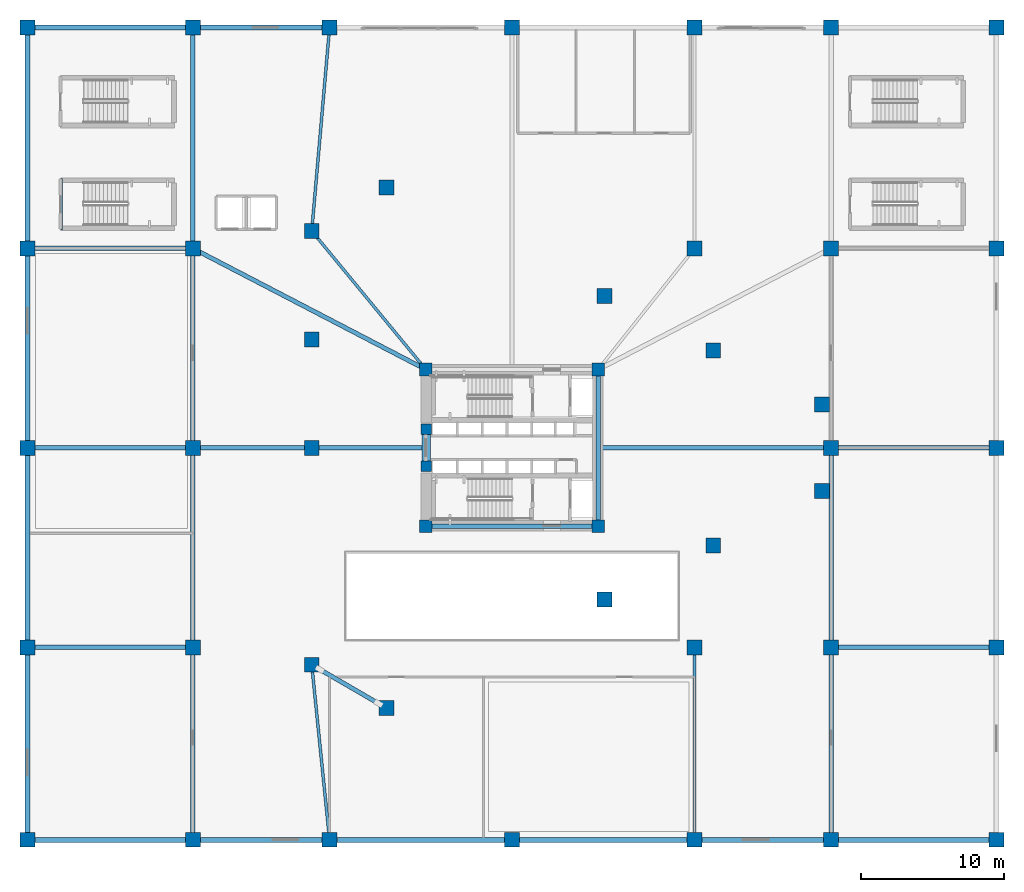
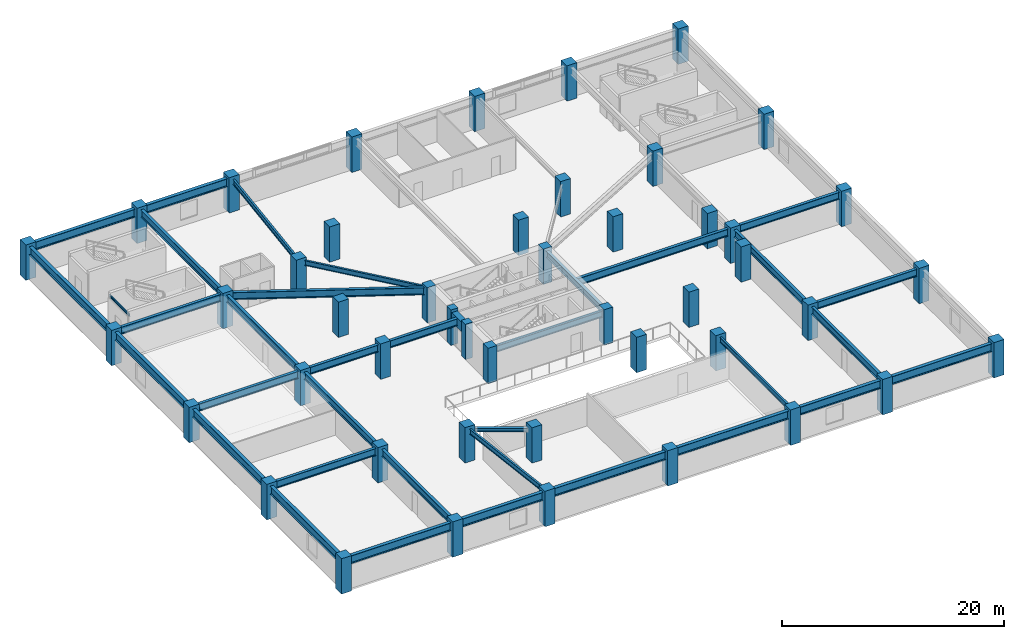
# One storey, part 1 of 16: 46 columns, 34 beams, 1 member.
"""IFC4 building model written with IfcOpenShell, lengths in metres."""

from ifc_helpers import new_model, si_unit, direction, frame, origin, origin_2d, place, context, subcontext, project, spatial, rectangle, i_section, extrude, source, transform, mapped, material, material_profile, profile_set, type_object, element, save


model = new_model("IFC4")

# Units and contexts
model_context = context("Model", 3, precision=1e-05, world=origin(), true_north=direction((0.0, 1.0)))
body_context = subcontext(model_context, "Body", "Model", "MODEL_VIEW")
ifc_project = project(units=[si_unit("LENGTHUNIT", "METRE"), si_unit("AREAUNIT", "SQUARE_METRE"), si_unit("VOLUMEUNIT", "CUBIC_METRE"), si_unit("PLANEANGLEUNIT", "RADIAN"), si_unit("MASSUNIT", "GRAM", prefix="KILO")], contexts=[model_context])

# Site, building, storey
site_placement = place(None, origin())
site = spatial("IfcSite", under=ifc_project, at=site_placement, CompositionType="ELEMENT")
building_placement = place(site_placement, origin())
building = spatial("IfcBuilding", under=site, at=building_placement, Name="Yunling Apex Tower", CompositionType="ELEMENT")
storey_placement = place(building_placement, frame((0.0, 0.0, 4.5)))
storey = spatial("IfcBuildingStorey", under=building, at=storey_placement, Name="L02", CompositionType="ELEMENT", Elevation=4.5)

# Columns
ifc_material_1 = material(Name="Concrete C60", Category="concrete")
ifc_material_profile_1 = material_profile(ifc_material_1, rectangle(XDim=0.89990234375, YDim=0.89990234375, at=origin_2d()))
ifc_profile_set_1 = profile_set([ifc_material_profile_1], Name="Concrete C60")
column_type_1 = type_object("IfcColumnType", Name="PC-SRC-3", PredefinedType="COLUMN", material=ifc_profile_set_1)
shared_shape_1 = source(origin(), body_context, "Body", "SweptSolid", [
    extrude(rectangle(XDim=0.89990234375, YDim=0.89990234375, at=origin_2d()), origin(), (0.0, 0.0, 1.0), 3.89990234375),
])
for number, where, z_axis, x_axis, name in (
    (1, (-6.050048828125, -5.5, 0.0), (0.0, 0.0, 1.0), (1.0, 0.0, 0.0), "L02 Core Spine Column CC-SW"),
    (2, (6.050048828125, -5.5, 0.0), (0.0, 0.0, 1.0), (1.0, 0.0, 0.0), "L02 Core Spine Column CC-SE"),
    (3, (6.050048828125, 5.5, 0.0), (0.0, 0.0, 1.0), (1.0, 0.0, 0.0), "L02 Core Spine Column CC-NE"),
    (4, (-6.050048828125, 5.5, 0.0), (0.0, 0.0, 1.0), (1.0, 0.0, 0.0), "L02 Core Spine Column CC-NW"),
):
    element("IfcColumn", number, at=place(storey_placement, frame(where, z_axis=z_axis, x_axis=x_axis)), inside=storey, type_object=column_type_1, Name=name, PredefinedType="COLUMN", context=body_context, shape_type="MappedRepresentation", body=[
        mapped(shared_shape_1, transform((0.0, 0.0, 0.0), scale=1.0)),
    ])
ifc_material_2 = material(Name="Concrete C50", Category="concrete")
ifc_material_profile_2 = material_profile(ifc_material_2, rectangle(XDim=0.75, YDim=0.75, at=origin_2d()))
ifc_profile_set_2 = profile_set([ifc_material_profile_2], Name="Concrete C50")
column_type_2 = type_object("IfcColumnType", Name="PC-SRC-4", PredefinedType="COLUMN", material=ifc_profile_set_2)
shared_shape_2 = source(origin(), body_context, "Body", "SweptSolid", [
    extrude(rectangle(XDim=0.75, YDim=0.75, at=origin_2d()), origin(), (0.0, 0.0, 1.0), 3.89990234375),
])
for number, where, z_axis, x_axis, name in (
    (5, (-6.02490234375, -1.300048828125, 0.0), (0.0, 0.0, 1.0), (1.0, 0.0, 0.0), "L02 Core West Portal Jamb Column S"),
    (6, (-6.02490234375, 1.300048828125, 0.0), (0.0, 0.0, 1.0), (1.0, 0.0, 0.0), "L02 Core West Portal Jamb Column N"),
):
    element("IfcColumn", number, at=place(storey_placement, frame(where, z_axis=z_axis, x_axis=x_axis)), inside=storey, type_object=column_type_2, Name=name, PredefinedType="COLUMN", context=body_context, shape_type="MappedRepresentation", body=[
        mapped(shared_shape_2, transform((0.0, 0.0, 0.0), scale=1.0)),
    ])
ifc_material_profile_3 = material_profile(ifc_material_1, rectangle(XDim=1.050048828125, YDim=1.050048828125, at=origin_2d()))
ifc_profile_set_3 = profile_set([ifc_material_profile_3], Name="Concrete C60")
column_type_3 = type_object("IfcColumnType", Name="PC-SRC-2", PredefinedType="COLUMN", material=ifc_profile_set_3)
shared_shape_3 = source(origin(), body_context, "Body", "SweptSolid", [
    extrude(rectangle(XDim=1.050048828125, YDim=1.050048828125, at=origin_2d()), origin(), (0.0, 0.0, 1.0), 3.89990234375),
])
for number, where, z_axis, x_axis, name in (
    (7, (-34.0, -27.5, 0.0), (0.0, 0.0, 1.0), (1.0, 0.0, 0.0), "L02 Podium Mega-Column PC-01"),
    (8, (-22.39990234375, -27.5, 0.0), (0.0, 0.0, 1.0), (1.0, 0.0, 0.0), "L02 Podium Mega-Column PC-02"),
    (9, (-12.800048828125, -27.5, 0.0), (0.0, 0.0, 1.0), (1.0, 0.0, 0.0), "L02 Podium Mega-Column PC-03"),
    (10, (0.0, -27.5, 0.0), (0.0, 0.0, 1.0), (1.0, 0.0, 0.0), "L02 Podium Mega-Column PC-04"),
    (11, (12.800048828125, -27.5, 0.0), (0.0, 0.0, 1.0), (1.0, 0.0, 0.0), "L02 Podium Mega-Column PC-05"),
    (12, (22.39990234375, -27.5, 0.0), (0.0, 0.0, 1.0), (1.0, 0.0, 0.0), "L02 Podium Mega-Column PC-06"),
    (13, (34.0, -27.5, 0.0), (0.0, 0.0, 1.0), (1.0, 0.0, 0.0), "L02 Podium Mega-Column PC-07"),
    (14, (-34.0, -14.0, 0.0), (0.0, 0.0, 1.0), (1.0, 0.0, 0.0), "L02 Podium Mega-Column PC-08"),
    (15, (-22.39990234375, -14.0, 0.0), (0.0, 0.0, 1.0), (1.0, 0.0, 0.0), "L02 Podium Mega-Column PC-09"),
    (16, (12.800048828125, -14.0, 0.0), (0.0, 0.0, 1.0), (1.0, 0.0, 0.0), "L02 Podium Mega-Column PC-11"),
    (17, (22.39990234375, -14.0, 0.0), (0.0, 0.0, 1.0), (1.0, 0.0, 0.0), "L02 Podium Mega-Column PC-12"),
    (18, (34.0, -14.0, 0.0), (0.0, 0.0, 1.0), (1.0, 0.0, 0.0), "L02 Podium Mega-Column PC-13"),
    (19, (-34.0, 0.0, 0.0), (0.0, 0.0, 1.0), (1.0, 0.0, 0.0), "L02 Podium Mega-Column PC-14"),
    (20, (-22.39990234375, 0.0, 0.0), (0.0, 0.0, 1.0), (1.0, 0.0, 0.0), "L02 Podium Mega-Column PC-15"),
    (21, (22.39990234375, 0.0, 0.0), (0.0, 0.0, 1.0), (1.0, 0.0, 0.0), "L02 Podium Mega-Column PC-16"),
    (22, (34.0, 0.0, 0.0), (0.0, 0.0, 1.0), (1.0, 0.0, 0.0), "L02 Podium Mega-Column PC-17"),
    (23, (-34.0, 14.0, 0.0), (0.0, 0.0, 1.0), (1.0, 0.0, 0.0), "L02 Podium Mega-Column PC-18"),
    (24, (-22.39990234375, 14.0, 0.0), (0.0, 0.0, 1.0), (1.0, 0.0, 0.0), "L02 Podium Mega-Column PC-19"),
    (25, (12.800048828125, 14.0, 0.0), (0.0, 0.0, 1.0), (1.0, 0.0, 0.0), "L02 Podium Mega-Column PC-21"),
    (26, (22.39990234375, 14.0, 0.0), (0.0, 0.0, 1.0), (1.0, 0.0, 0.0), "L02 Podium Mega-Column PC-22"),
    (27, (34.0, 14.0, 0.0), (0.0, 0.0, 1.0), (1.0, 0.0, 0.0), "L02 Podium Mega-Column PC-23"),
    (28, (-34.0, 29.5, 0.0), (0.0, 0.0, 1.0), (1.0, 0.0, 0.0), "L02 Podium Mega-Column PC-24"),
    (29, (-22.39990234375, 29.5, 0.0), (0.0, 0.0, 1.0), (1.0, 0.0, 0.0), "L02 Podium Mega-Column PC-25"),
    (30, (-12.800048828125, 29.5, 0.0), (0.0, 0.0, 1.0), (1.0, 0.0, 0.0), "L02 Podium Mega-Column PC-26"),
    (31, (0.0, 29.5, 0.0), (0.0, 0.0, 1.0), (1.0, 0.0, 0.0), "L02 Podium Mega-Column PC-27"),
    (32, (12.800048828125, 29.5, 0.0), (0.0, 0.0, 1.0), (1.0, 0.0, 0.0), "L02 Podium Mega-Column PC-28"),
    (33, (22.39990234375, 29.5, 0.0), (0.0, 0.0, 1.0), (1.0, 0.0, 0.0), "L02 Podium Mega-Column PC-29"),
    (34, (34.0, 29.5, 0.0), (0.0, 0.0, 1.0), (1.0, 0.0, 0.0), "L02 Podium Mega-Column PC-30"),
    (35, (-8.8115234375, -18.2578125, 0.0), (0.0, 0.0, 1.0), (1.0, 0.0, 0.0), "L02 Podium Mega-Column MP-B1-01"),
    (36, (6.477294921875, -10.648193359375, 0.0), (0.0, 0.0, 1.0), (1.0, 0.0, 0.0), "L02 Podium Mega-Column MP-B1-02"),
    (37, (14.121826171875, -6.843505859375, 0.0), (0.0, 0.0, 1.0), (1.0, 0.0, 0.0), "L02 Podium Mega-Column MP-B1-03"),
    (38, (21.76611328125, -3.038818359375, 0.0), (0.0, 0.0, 1.0), (1.0, 0.0, 0.0), "L02 Podium Mega-Column MP-B1-04"),
    (39, (21.76611328125, 3.038818359375, 0.0), (0.0, 0.0, 1.0), (1.0, 0.0, 0.0), "L02 Podium Mega-Column MP-B1-05"),
    (40, (14.121826171875, 6.843505859375, 0.0), (0.0, 0.0, 1.0), (1.0, 0.0, 0.0), "L02 Podium Mega-Column MP-B1-06"),
    (41, (6.477294921875, 10.648193359375, 0.0), (0.0, 0.0, 1.0), (1.0, 0.0, 0.0), "L02 Podium Mega-Column MP-B1-07"),
    (42, (-8.8115234375, 18.2578125, 0.0), (0.0, 0.0, 1.0), (1.0, 0.0, 0.0), "L02 Podium Mega-Column MP-B1-08"),
    (43, (-14.052001953125, 15.218994140625, 0.0), (0.0, 0.0, 1.0), (1.0, 0.0, 0.0), "L02 Podium Mega-Column MP-B1-09"),
    (44, (-14.052001953125, 7.609619140625, 0.0), (0.0, 0.0, 1.0), (1.0, 0.0, 0.0), "L02 Podium Mega-Column MP-B1-10"),
    (45, (-14.052001953125, 0.0, 0.0), (0.0, 0.0, 1.0), (1.0, 0.0, 0.0), "L02 Podium Mega-Column MP-B1-11"),
    (46, (-14.052001953125, -15.218994140625, 0.0), (0.0, 0.0, 1.0), (1.0, 0.0, 0.0), "L02 Podium Mega-Column MP-B1-12"),
):
    element("IfcColumn", number, at=place(storey_placement, frame(where, z_axis=z_axis, x_axis=x_axis)), inside=storey, type_object=column_type_3, Name=name, PredefinedType="COLUMN", context=body_context, shape_type="MappedRepresentation", body=[
        mapped(shared_shape_3, transform((0.0, 0.0, 0.0), scale=1.0)),
    ])

# Beams
ifc_material_profile_4 = material_profile(ifc_material_1, rectangle(XDim=0.60009765625, YDim=1.0, at=origin_2d()))
ifc_profile_set_4 = profile_set([ifc_material_profile_4], Name="Concrete C60")
beam_type_1 = type_object("IfcBeamType", Name="BC-CPL-1", PredefinedType="BEAM", material=ifc_profile_set_4)
shared_shape_4 = source(origin(), body_context, "Body", "SweptSolid", [
    extrude(rectangle(XDim=0.60009765625, YDim=1.0, at=origin_2d()), origin(), (0.0, 0.0, 1.0), 2.5),
])
beam_1_placement = place(storey_placement, frame((-6.02490234375, -1.25, 3.090087890625), z_axis=(0.0, 1.0, 0.0), x_axis=(-1.0, 0.0, 0.0)))
element("IfcBeam", 47, at=beam_1_placement, inside=storey, type_object=beam_type_1, Name="L02 Core West Portal Coupling Beam", PredefinedType="BEAM", context=body_context, shape_type="MappedRepresentation", body=[
    mapped(shared_shape_4, transform((0.0, 0.0, 0.0), scale=1.0)),
])
ifc_material_3 = material(Name="Steel Q355B", Category="steel")
ifc_material_profile_5 = material_profile(ifc_material_3, i_section(OverallWidth=0.300048828125, OverallDepth=0.699951171875, WebThickness=0.012939453125, FlangeThickness=0.02392578125, FilletRadius=0.02587890625, at=origin_2d()))
ifc_profile_set_5 = profile_set([ifc_material_profile_5], Name="Steel Q355B")
beam_type_2 = type_object("IfcBeamType", Name="BG-PRI-3", PredefinedType="USERDEFINED", material=ifc_profile_set_5)
shared_shape_5 = source(origin(), body_context, "Body", "SweptSolid", [
    extrude(i_section(OverallWidth=0.300048828125, OverallDepth=0.699951171875, WebThickness=0.012939453125, FlangeThickness=0.02392578125, FilletRadius=0.02587890625, at=origin_2d()), origin(), (0.0, 0.0, 1.0), 11.7998046875),
])
beam_2_placement = place(storey_placement, frame((-5.89990234375, -5.5, 3.239990234375), z_axis=(1.0, 0.0, 0.0), x_axis=(0.0, 1.0, 0.0)))
element("IfcBeam", 48, at=beam_2_placement, inside=storey, type_object=beam_type_2, Name="L02 Core Ring Tie Beam 1", ObjectType="GIRDER", PredefinedType="USERDEFINED", context=body_context, shape_type="MappedRepresentation", body=[
    mapped(shared_shape_5, transform((0.0, 0.0, 0.0), scale=1.0)),
])
shared_shape_6 = source(origin(), body_context, "Body", "SweptSolid", [
    extrude(i_section(OverallWidth=0.300048828125, OverallDepth=0.699951171875, WebThickness=0.012939453125, FlangeThickness=0.02392578125, FilletRadius=0.02587890625, at=origin_2d()), origin(), (0.0, 0.0, 1.0), 10.7001953125),
])
beam_3_placement = place(storey_placement, frame((6.050048828125, -5.35009765625, 3.239990234375), z_axis=(0.0, 1.0, 0.0), x_axis=(-1.0, 0.0, 0.0)))
element("IfcBeam", 49, at=beam_3_placement, inside=storey, type_object=beam_type_2, Name="L02 Core Ring Tie Beam 2", ObjectType="GIRDER", PredefinedType="USERDEFINED", context=body_context, shape_type="MappedRepresentation", body=[
    mapped(shared_shape_6, transform((0.0, 0.0, 0.0), scale=1.0)),
])
ifc_material_profile_6 = material_profile(ifc_material_3, i_section(OverallWidth=0.35009765625, OverallDepth=0.89990234375, WebThickness=0.01806640625, FlangeThickness=0.028076171875, FilletRadius=0.02392578125, at=origin_2d()))
ifc_profile_set_6 = profile_set([ifc_material_profile_6], Name="Steel Q355B")
beam_type_3 = type_object("IfcBeamType", Name="BG-PRI-1", PredefinedType="USERDEFINED", material=ifc_profile_set_6)
shared_shape_7 = source(origin(), body_context, "Body", "SweptSolid", [
    extrude(i_section(OverallWidth=0.35009765625, OverallDepth=0.89990234375, WebThickness=0.01806640625, FlangeThickness=0.028076171875, FilletRadius=0.02392578125, at=origin_2d()), origin(), (0.0, 0.0, 1.0), 11.52001953125),
])
for number, where, z_axis, x_axis, name in (
    (50, (-33.9599609375, -27.5, 3.139892578125), (1.0, 0.0, 0.0), (0.0, 1.0, 0.0), "L02 Podium Edge Girder 1"),
    (51, (22.43994140625, -27.5, 3.139892578125), (1.0, 0.0, 0.0), (0.0, 1.0, 0.0), "L02 Podium Edge Girder 6"),
    (52, (-33.9599609375, 29.5, 3.139892578125), (1.0, 0.0, 0.0), (0.0, 1.0, 0.0), "L02 Podium Edge Girder 7"),
):
    element("IfcBeam", number, at=place(storey_placement, frame(where, z_axis=z_axis, x_axis=x_axis)), inside=storey, type_object=beam_type_3, Name=name, ObjectType="GIRDER", PredefinedType="USERDEFINED", context=body_context, shape_type="MappedRepresentation", body=[
        mapped(shared_shape_7, transform((0.0, 0.0, 0.0), scale=1.0)),
    ])
shared_shape_8 = source(origin(), body_context, "Body", "SweptSolid", [
    extrude(i_section(OverallWidth=0.35009765625, OverallDepth=0.89990234375, WebThickness=0.01806640625, FlangeThickness=0.028076171875, FilletRadius=0.02392578125, at=origin_2d()), origin(), (0.0, 0.0, 1.0), 9.52001953125),
])
for number, where, z_axis, x_axis, name in (
    (53, (-22.360107421875, -27.5, 3.139892578125), (1.0, 0.0, 0.0), (0.0, 1.0, 0.0), "L02 Podium Edge Girder 2"),
    (54, (12.840087890625, -27.5, 3.139892578125), (1.0, 0.0, 0.0), (0.0, 1.0, 0.0), "L02 Podium Edge Girder 5"),
    (55, (-22.360107421875, 29.5, 3.139892578125), (1.0, 0.0, 0.0), (0.0, 1.0, 0.0), "L02 Podium Edge Girder 8"),
):
    element("IfcBeam", number, at=place(storey_placement, frame(where, z_axis=z_axis, x_axis=x_axis)), inside=storey, type_object=beam_type_3, Name=name, ObjectType="GIRDER", PredefinedType="USERDEFINED", context=body_context, shape_type="MappedRepresentation", body=[
        mapped(shared_shape_8, transform((0.0, 0.0, 0.0), scale=1.0)),
    ])
shared_shape_9 = source(origin(), body_context, "Body", "SweptSolid", [
    extrude(i_section(OverallWidth=0.35009765625, OverallDepth=0.89990234375, WebThickness=0.01806640625, FlangeThickness=0.028076171875, FilletRadius=0.02392578125, at=origin_2d()), origin(), (0.0, 0.0, 1.0), 12.719970703125),
])
for number, where, z_axis, x_axis, name in (
    (56, (-12.760009765625, -27.5, 3.139892578125), (1.0, 0.0, 0.0), (0.0, 1.0, 0.0), "L02 Podium Edge Girder 3"),
    (57, (0.0400390625, -27.5, 3.139892578125), (1.0, 0.0, 0.0), (0.0, 1.0, 0.0), "L02 Podium Edge Girder 4"),
):
    element("IfcBeam", number, at=place(storey_placement, frame(where, z_axis=z_axis, x_axis=x_axis)), inside=storey, type_object=beam_type_3, Name=name, ObjectType="GIRDER", PredefinedType="USERDEFINED", context=body_context, shape_type="MappedRepresentation", body=[
        mapped(shared_shape_9, transform((0.0, 0.0, 0.0), scale=1.0)),
    ])
shared_shape_10 = source(origin(), body_context, "Body", "SweptSolid", [
    extrude(i_section(OverallWidth=0.35009765625, OverallDepth=0.89990234375, WebThickness=0.01806640625, FlangeThickness=0.028076171875, FilletRadius=0.02392578125, at=origin_2d()), origin(), (0.0, 0.0, 1.0), 13.419921875),
])
beam_4_placement = place(storey_placement, frame((-34.0, -27.4599609375, 3.139892578125), z_axis=(0.0, 1.0, 0.0), x_axis=(-1.0, 0.0, 0.0)))
element("IfcBeam", 58, at=beam_4_placement, inside=storey, type_object=beam_type_3, Name="L02 Podium Side Girder 13", ObjectType="GIRDER", PredefinedType="USERDEFINED", context=body_context, shape_type="MappedRepresentation", body=[
    mapped(shared_shape_10, transform((0.0, 0.0, 0.0), scale=1.0)),
])
shared_shape_11 = source(origin(), body_context, "Body", "SweptSolid", [
    extrude(i_section(OverallWidth=0.35009765625, OverallDepth=0.89990234375, WebThickness=0.01806640625, FlangeThickness=0.028076171875, FilletRadius=0.02392578125, at=origin_2d()), origin(), (0.0, 0.0, 1.0), 13.919921875),
])
for number, where, z_axis, x_axis, name in (
    (59, (-34.0, -13.9599609375, 3.139892578125), (0.0, 1.0, 0.0), (-1.0, 0.0, 0.0), "L02 Podium Side Girder 14"),
    (60, (-34.0, 0.0400390625, 3.139892578125), (0.0, 1.0, 0.0), (-1.0, 0.0, 0.0), "L02 Podium Side Girder 15"),
):
    element("IfcBeam", number, at=place(storey_placement, frame(where, z_axis=z_axis, x_axis=x_axis)), inside=storey, type_object=beam_type_3, Name=name, ObjectType="GIRDER", PredefinedType="USERDEFINED", context=body_context, shape_type="MappedRepresentation", body=[
        mapped(shared_shape_11, transform((0.0, 0.0, 0.0), scale=1.0)),
    ])
shared_shape_12 = source(origin(), body_context, "Body", "SweptSolid", [
    extrude(i_section(OverallWidth=0.35009765625, OverallDepth=0.89990234375, WebThickness=0.01806640625, FlangeThickness=0.028076171875, FilletRadius=0.02392578125, at=origin_2d()), origin(), (0.0, 0.0, 1.0), 15.419921875),
])
beam_5_placement = place(storey_placement, frame((-34.0, 14.0400390625, 3.139892578125), z_axis=(0.0, 1.0, 0.0), x_axis=(-1.0, 0.0, 0.0)))
element("IfcBeam", 61, at=beam_5_placement, inside=storey, type_object=beam_type_3, Name="L02 Podium Side Girder 16", ObjectType="GIRDER", PredefinedType="USERDEFINED", context=body_context, shape_type="MappedRepresentation", body=[
    mapped(shared_shape_12, transform((0.0, 0.0, 0.0), scale=1.0)),
])
ifc_material_profile_7 = material_profile(ifc_material_3, i_section(OverallWidth=0.300048828125, OverallDepth=0.800048828125, WebThickness=0.013916015625, FlangeThickness=0.02587890625, FilletRadius=0.028076171875, at=origin_2d()))
ifc_profile_set_7 = profile_set([ifc_material_profile_7], Name="Steel Q355B")
beam_type_4 = type_object("IfcBeamType", Name="BG-PRI-2", PredefinedType="USERDEFINED", material=ifc_profile_set_7)
shared_shape_13 = source(origin(), body_context, "Body", "SweptSolid", [
    extrude(i_section(OverallWidth=0.300048828125, OverallDepth=0.800048828125, WebThickness=0.013916015625, FlangeThickness=0.02587890625, FilletRadius=0.028076171875, at=origin_2d()), origin(), (0.0, 0.0, 1.0), 11.52001953125),
])
for number, where, z_axis, x_axis, name in (
    (62, (-33.9599609375, 14.0, 3.18994140625), (1.0, 0.0, 0.0), (0.0, 1.0, 0.0), "L02 Podium Primary Girder 1"),
    (63, (-33.9599609375, -14.0, 3.18994140625), (1.0, 0.0, 0.0), (0.0, 1.0, 0.0), "L02 Podium Primary Girder 5"),
    (64, (22.43994140625, -14.0, 3.18994140625), (1.0, 0.0, 0.0), (0.0, 1.0, 0.0), "L02 Podium Primary Girder 8"),
    (65, (-33.9599609375, 0.0, 3.18994140625), (1.0, 0.0, 0.0), (0.0, 1.0, 0.0), "L02 Podium Primary Girder 9"),
    (66, (22.43994140625, 0.0, 3.18994140625), (1.0, 0.0, 0.0), (0.0, 1.0, 0.0), "L02 Podium Primary Girder 12"),
):
    element("IfcBeam", number, at=place(storey_placement, frame(where, z_axis=z_axis, x_axis=x_axis)), inside=storey, type_object=beam_type_4, Name=name, ObjectType="GIRDER", PredefinedType="USERDEFINED", context=body_context, shape_type="MappedRepresentation", body=[
        mapped(shared_shape_13, transform((0.0, 0.0, 0.0), scale=1.0)),
    ])
shared_shape_14 = source(origin(), body_context, "Body", "SweptSolid", [
    extrude(i_section(OverallWidth=0.300048828125, OverallDepth=0.800048828125, WebThickness=0.013916015625, FlangeThickness=0.02587890625, FilletRadius=0.028076171875, at=origin_2d()), origin(), (0.0, 0.0, 1.0), 18.347412109375),
])
beam_6_placement = place(storey_placement, frame((-22.364501953125, 13.9814453125, 3.18994140625), z_axis=(0.887266251523, -0.461257627481, 0.0), x_axis=(0.461257627481, 0.887266251523, 0.0)))
element("IfcBeam", 67, at=beam_6_placement, inside=storey, type_object=beam_type_4, Name="L02 Podium Primary Girder 2", ObjectType="GIRDER", PredefinedType="USERDEFINED", context=body_context, shape_type="MappedRepresentation", body=[
    mapped(shared_shape_14, transform((0.0, 0.0, 0.0), scale=1.0)),
])
shared_shape_15 = source(origin(), body_context, "Body", "SweptSolid", [
    extrude(i_section(OverallWidth=0.300048828125, OverallDepth=0.800048828125, WebThickness=0.013916015625, FlangeThickness=0.02587890625, FilletRadius=0.028076171875, at=origin_2d()), origin(), (0.0, 0.0, 1.0), 16.22021484375),
])
for number, where, z_axis, x_axis, name in (
    (68, (-22.360107421875, 0.0, 3.18994140625), (1.0, 0.0, 0.0), (0.0, 1.0, 0.0), "L02 Podium Primary Girder 10"),
    (69, (6.139892578125, 0.0, 3.18994140625), (1.0, 0.0, 0.0), (0.0, 1.0, 0.0), "L02 Podium Primary Girder 11"),
):
    element("IfcBeam", number, at=place(storey_placement, frame(where, z_axis=z_axis, x_axis=x_axis)), inside=storey, type_object=beam_type_4, Name=name, ObjectType="GIRDER", PredefinedType="USERDEFINED", context=body_context, shape_type="MappedRepresentation", body=[
        mapped(shared_shape_15, transform((0.0, 0.0, 0.0), scale=1.0)),
    ])
shared_shape_16 = source(origin(), body_context, "Body", "SweptSolid", [
    extrude(i_section(OverallWidth=0.300048828125, OverallDepth=0.800048828125, WebThickness=0.013916015625, FlangeThickness=0.02587890625, FilletRadius=0.028076171875, at=origin_2d()), origin(), (0.0, 0.0, 1.0), 15.419921875),
])
beam_7_placement = place(storey_placement, frame((-22.39990234375, 29.4599609375, 3.18994140625), z_axis=(0.0, -1.0, 0.0), x_axis=(1.0, 0.0, 0.0)))
element("IfcBeam", 70, at=beam_7_placement, inside=storey, type_object=beam_type_4, Name="L02 Podium Primary Girder 13", ObjectType="GIRDER", PredefinedType="USERDEFINED", context=body_context, shape_type="MappedRepresentation", body=[
    mapped(shared_shape_16, transform((0.0, 0.0, 0.0), scale=1.0)),
])
shared_shape_17 = source(origin(), body_context, "Body", "SweptSolid", [
    extrude(i_section(OverallWidth=0.300048828125, OverallDepth=0.800048828125, WebThickness=0.013916015625, FlangeThickness=0.02587890625, FilletRadius=0.028076171875, at=origin_2d()), origin(), (0.0, 0.0, 1.0), 13.919921875),
])
for number, where, z_axis, x_axis, name in (
    (71, (-22.39990234375, 13.9599609375, 3.18994140625), (0.0, -1.0, 0.0), (1.0, 0.0, 0.0), "L02 Podium Primary Girder 14"),
    (72, (-22.39990234375, -0.0400390625, 3.18994140625), (0.0, -1.0, 0.0), (1.0, 0.0, 0.0), "L02 Podium Primary Girder 15"),
    (73, (22.39990234375, -0.0400390625, 3.18994140625), (0.0, -1.0, 0.0), (1.0, 0.0, 0.0), "L02 Podium Primary Girder 19"),
):
    element("IfcBeam", number, at=place(storey_placement, frame(where, z_axis=z_axis, x_axis=x_axis)), inside=storey, type_object=beam_type_4, Name=name, ObjectType="GIRDER", PredefinedType="USERDEFINED", context=body_context, shape_type="MappedRepresentation", body=[
        mapped(shared_shape_17, transform((0.0, 0.0, 0.0), scale=1.0)),
    ])
shared_shape_18 = source(origin(), body_context, "Body", "SweptSolid", [
    extrude(i_section(OverallWidth=0.300048828125, OverallDepth=0.800048828125, WebThickness=0.013916015625, FlangeThickness=0.02587890625, FilletRadius=0.028076171875, at=origin_2d()), origin(), (0.0, 0.0, 1.0), 13.419921875),
])
for number, where, z_axis, x_axis, name in (
    (74, (-22.39990234375, -14.0400390625, 3.18994140625), (0.0, -1.0, 0.0), (1.0, 0.0, 0.0), "L02 Podium Primary Girder 16"),
    (75, (22.39990234375, -14.0400390625, 3.18994140625), (0.0, -1.0, 0.0), (1.0, 0.0, 0.0), "L02 Podium Primary Girder 20"),
):
    element("IfcBeam", number, at=place(storey_placement, frame(where, z_axis=z_axis, x_axis=x_axis)), inside=storey, type_object=beam_type_4, Name=name, ObjectType="GIRDER", PredefinedType="USERDEFINED", context=body_context, shape_type="MappedRepresentation", body=[
        mapped(shared_shape_18, transform((0.0, 0.0, 0.0), scale=1.0)),
    ])
ifc_material_profile_8 = material_profile(ifc_material_3, i_section(OverallWidth=0.199951171875, OverallDepth=0.550048828125, WebThickness=0.010009765625, FlangeThickness=0.01611328125, FilletRadius=0.02001953125, at=origin_2d()))
ifc_profile_set_8 = profile_set([ifc_material_profile_8], Name="Steel Q355B")
beam_type_5 = type_object("IfcBeamType", Name="BS-SEC-1", PredefinedType="BEAM", material=ifc_profile_set_8)
shared_shape_19 = source(origin(), body_context, "Body", "SweptSolid", [
    extrude(i_section(OverallWidth=0.199951171875, OverallDepth=0.550048828125, WebThickness=0.010009765625, FlangeThickness=0.01611328125, FilletRadius=0.02001953125, at=origin_2d()), origin(), (0.0, 0.0, 1.0), 14.255859375),
])
beam_8_placement = place(storey_placement, frame((-12.803466796875, 29.460205078125, 3.31494140625), z_axis=(-0.087340515192, -0.99617851533, 0.0), x_axis=(0.99617851533, -0.087340515192, 0.0)))
element("IfcBeam", 76, at=beam_8_placement, inside=storey, type_object=beam_type_5, Name="L02 Podium Secondary Beam 1", PredefinedType="BEAM", context=body_context, shape_type="MappedRepresentation", body=[
    mapped(shared_shape_19, transform((0.0, 0.0, 0.0), scale=1.0)),
])
shared_shape_20 = source(origin(), body_context, "Body", "SweptSolid", [
    extrude(i_section(OverallWidth=0.199951171875, OverallDepth=0.550048828125, WebThickness=0.010009765625, FlangeThickness=0.01611328125, FilletRadius=0.02001953125, at=origin_2d()), origin(), (0.0, 0.0, 1.0), 12.509033203125),
])
beam_9_placement = place(storey_placement, frame((-14.026611328125, 15.18798828125, 3.31494140625), z_axis=(0.635629262148, -0.771994456652, 0.0), x_axis=(0.771994456652, 0.635629262148, 0.0)))
element("IfcBeam", 77, at=beam_9_placement, inside=storey, type_object=beam_type_5, Name="L02 Podium Secondary Beam 2", PredefinedType="BEAM", context=body_context, shape_type="MappedRepresentation", body=[
    mapped(shared_shape_20, transform((0.0, 0.0, 0.0), scale=1.0)),
])
shared_shape_21 = source(origin(), body_context, "Body", "SweptSolid", [
    extrude(i_section(OverallWidth=0.199951171875, OverallDepth=0.550048828125, WebThickness=0.010009765625, FlangeThickness=0.01611328125, FilletRadius=0.02001953125, at=origin_2d()), origin(), (0.0, 0.0, 1.0), 13.419921875),
])
beam_10_placement = place(storey_placement, frame((12.800048828125, -27.4599609375, 3.31494140625), z_axis=(0.0, 1.0, 0.0), x_axis=(-1.0, 0.0, 0.0)))
element("IfcBeam", 78, at=beam_10_placement, inside=storey, type_object=beam_type_5, Name="L02 Podium Secondary Beam 7", PredefinedType="BEAM", context=body_context, shape_type="MappedRepresentation", body=[
    mapped(shared_shape_21, transform((0.0, 0.0, 0.0), scale=1.0)),
])
shared_shape_22 = source(origin(), body_context, "Body", "SweptSolid", [
    extrude(i_section(OverallWidth=0.199951171875, OverallDepth=0.550048828125, WebThickness=0.010009765625, FlangeThickness=0.01611328125, FilletRadius=0.02001953125, at=origin_2d()), origin(), (0.0, 0.0, 1.0), 12.2646484375),
])
beam_11_placement = place(storey_placement, frame((-12.80419921875, -27.460205078125, 3.31494140625), z_axis=(-0.101401512652, 0.994845582607, 0.0), x_axis=(-0.994845582607, -0.101401512652, 0.0)))
element("IfcBeam", 79, at=beam_11_placement, inside=storey, type_object=beam_type_5, Name="L02 Podium Secondary Beam 5", PredefinedType="BEAM", context=body_context, shape_type="MappedRepresentation", body=[
    mapped(shared_shape_22, transform((0.0, 0.0, 0.0), scale=1.0)),
])
ifc_material_profile_9 = material_profile(ifc_material_3, i_section(OverallWidth=0.125, OverallDepth=0.25, WebThickness=0.006103515625, FlangeThickness=0.009033203125, FilletRadius=0.011962890625, at=origin_2d()))
ifc_profile_set_9 = profile_set([ifc_material_profile_9], Name="Steel Q355B")
beam_type_6 = type_object("IfcBeamType", Name="BL-LNT-1", PredefinedType="LINTEL", material=ifc_profile_set_9)
shared_shape_23 = source(origin(), body_context, "Body", "SweptSolid", [
    extrude(i_section(OverallWidth=0.125, OverallDepth=0.25, WebThickness=0.006103515625, FlangeThickness=0.009033203125, FilletRadius=0.011962890625, at=origin_2d()), origin(), (0.0, 0.0, 1.0), 3.639892578125),
])
beam_12_placement = place(storey_placement, frame((-31.60009765625, 15.280029296875, 3.43994140625), z_axis=(0.0, 1.0, 0.0), x_axis=(-1.0, 0.0, 0.0)))
element("IfcBeam", 80, at=beam_12_placement, inside=storey, type_object=beam_type_6, Name="L02 Secondary Spandrel Lintel BL-LNT-L02-1", PredefinedType="LINTEL", context=body_context, shape_type="MappedRepresentation", body=[
    mapped(shared_shape_23, transform((0.0, 0.0, 0.0), scale=1.0)),
])

# Member
ifc_material_profile_10 = material_profile(ifc_material_3, i_section(OverallWidth=0.300048828125, OverallDepth=0.389892578125, WebThickness=0.010009765625, FlangeThickness=0.01611328125, FilletRadius=0.02001953125, at=origin_2d()))
ifc_profile_set_10 = profile_set([ifc_material_profile_10], Name="Steel Q355B")
member_type = type_object("IfcMemberType", Name="ST-STR-2", PredefinedType="STRUT", material=ifc_profile_set_10)
shared_shape_24 = source(origin(), body_context, "Body", "SweptSolid", [
    extrude(i_section(OverallWidth=0.300048828125, OverallDepth=0.389892578125, WebThickness=0.010009765625, FlangeThickness=0.01611328125, FilletRadius=0.02001953125, at=origin_2d()), origin(), (0.0, 0.0, 1.0), 4.758056640625),
])
member_placement = place(storey_placement, frame((-13.48779296875, -15.546142578125, 3.239990234375), z_axis=(0.864965709617, -0.50183096874, 0.0), x_axis=(0.50183096874, 0.864965709617, 0.0)))
element("IfcMember", 81, at=member_placement, inside=storey, type_object=member_type, Name="L02 Atrium Lateral Tie Strut", PredefinedType="STRUT", context=body_context, shape_type="MappedRepresentation", body=[
    mapped(shared_shape_24, transform((0.0, 0.0, 0.0), scale=1.0)),
])

save(model, "model.ifc")
